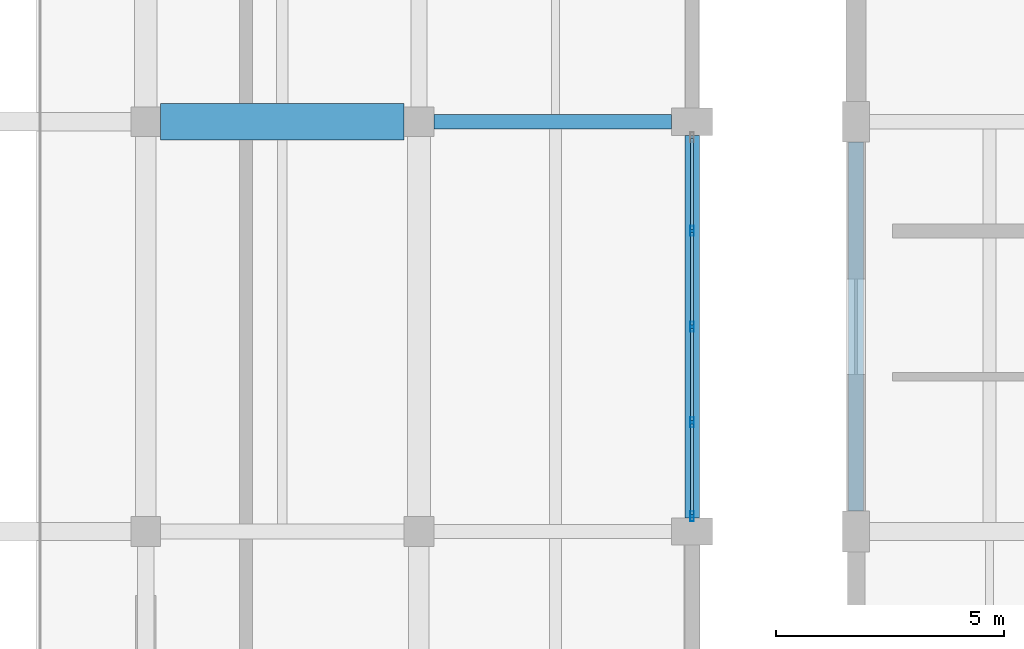
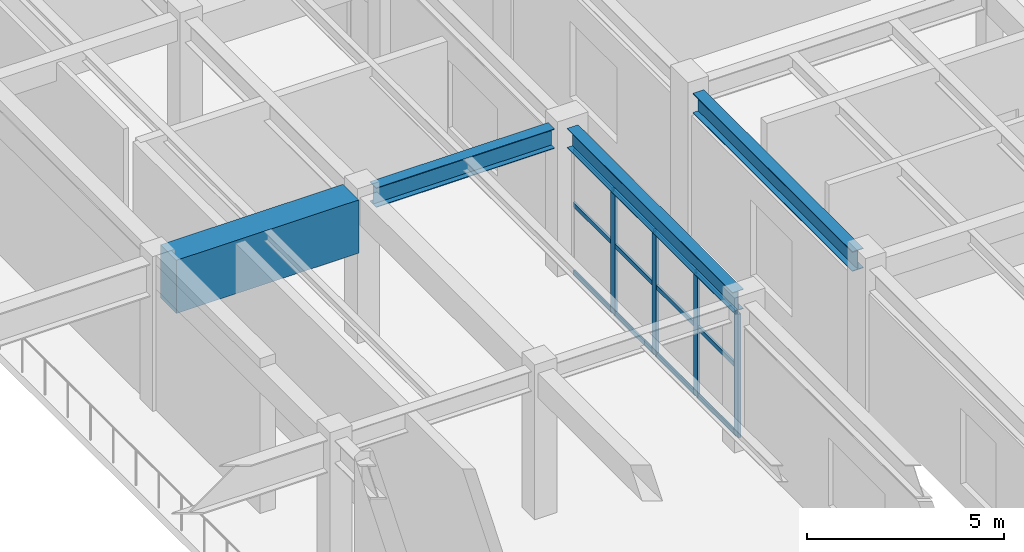
# One storey, part 30 of 80: 16 members, 4 beams, 1 element without a shape of its own.
"""IFC4 building model written with IfcOpenShell, lengths in metres."""

import ifcopenshell
import ifcopenshell.guid

model = None  # the IFC model being written
_history = None  # IfcOwnerHistory: only IFC2X3 demands one
_inside = {}  # id of a spatial element -> (the spatial element, [elements in it])
_under = {}  # id of a project, library or spatial element -> (it, [spatial elements below it])
_declared = {}  # id of a project -> (the project, [libraries it declares])
_typed = {}  # id of a type object -> (the type object, [elements of that type])
_made_of = {}  # id of a material, layer set ... -> (it, [elements and type objects made of it])


def new_model(schema):
    """Start an empty IFC model of exactly this schema.

    Asked for "IFC4X3", IfcOpenShell would pick the latest addendum, in which some entities
    have other attributes; the version numbers below select the first issue.
    IFC2X3 requires an IfcOwnerHistory on every rooted entity: one is made here for all.
    """
    global model, _history
    if schema == "IFC4X3":
        model = ifcopenshell.file(schema_version=(4, 3, 0, 0))
    else:
        model = ifcopenshell.file(schema=schema)
    _inside.clear()
    _under.clear()
    _declared.clear()
    _typed.clear()
    _made_of.clear()
    _history = None
    if model.schema == "IFC2X3":
        org = make("IfcOrganization", Name="unknown")
        user = make(
            "IfcPersonAndOrganization",
            ThePerson=make("IfcPerson", FamilyName="unknown"),
            TheOrganization=org,
        )
        app = make(
            "IfcApplication",
            ApplicationDeveloper=org,
            Version="unknown",
            ApplicationFullName="unknown",
            ApplicationIdentifier="unknown",
        )
        _history = make(
            "IfcOwnerHistory",
            OwningUser=user,
            OwningApplication=app,
            ChangeAction="ADDED",
            CreationDate=0,
        )
    return model


def make(cls, **values):
    """One entity of the class cls with the attributes given. An attribute that is None is left unset."""
    return model.create_entity(
        cls, **{name: value for name, value in values.items() if value is not None}
    )


def rooted(cls, **values):
    """An entity with a GlobalId (a new one), such as an element, a storey or a relation."""
    return make(cls, GlobalId=ifcopenshell.guid.new(), OwnerHistory=_history, **values)


def si_unit(unit_type, name, prefix=None):
    """IfcSIUnit, for example si_unit("LENGTHUNIT", "METRE", prefix="MILLI")."""
    return make("IfcSIUnit", UnitType=unit_type, Prefix=prefix, Name=name)


def assignment(units):
    """IfcUnitAssignment: the units of a project."""
    return None if units is None else make("IfcUnitAssignment", Units=units)


def point(xyz):
    """IfcCartesianPoint."""
    return None if xyz is None else make("IfcCartesianPoint", Coordinates=xyz)


def direction(xyz):
    """IfcDirection."""
    return None if xyz is None else make("IfcDirection", DirectionRatios=xyz)


def frame(location, z_axis=None, x_axis=None):
    """IfcAxis2Placement3D, a coordinate frame: its origin and axes. An axis left out is left unset."""
    return make(
        "IfcAxis2Placement3D",
        Location=point(location),
        Axis=direction(z_axis),
        RefDirection=direction(x_axis),
    )


def frame_2d(location, x_axis=None):
    """IfcAxis2Placement2D, a coordinate frame in the plane: its origin and x axis."""
    return make(
        "IfcAxis2Placement2D", Location=point(location), RefDirection=direction(x_axis)
    )


def origin():
    """The frame at (0, 0, 0) with its axes left unset."""
    return frame((0.0, 0.0, 0.0))


def origin_2d():
    """The frame at (0, 0) in the plane with its x axis left unset."""
    return frame_2d((0.0, 0.0))


def place(relative_to, where):
    """IfcLocalPlacement: puts the frame where relative to a parent placement (None: the world)."""
    return make(
        "IfcLocalPlacement", PlacementRelTo=relative_to, RelativePlacement=where
    )


def context(
    kind, dimensions, precision=None, world=None, true_north=None, identifier=None
):
    """IfcGeometricRepresentationContext, for example the 3D "Model" context."""
    return make(
        "IfcGeometricRepresentationContext",
        ContextIdentifier=identifier,
        ContextType=kind,
        CoordinateSpaceDimension=dimensions,
        Precision=precision,
        WorldCoordinateSystem=world,
        TrueNorth=true_north,
    )


def subcontext(parent, identifier, kind, view, scale=None):
    """IfcGeometricRepresentationSubContext, for example "Body" below "Model"."""
    return make(
        "IfcGeometricRepresentationSubContext",
        ContextIdentifier=identifier,
        ContextType=kind,
        ParentContext=parent,
        TargetScale=scale,
        TargetView=view,
    )


def project(units=None, contexts=None):
    """IfcProject with its units and contexts."""
    return rooted(
        "IfcProject",
        Name="project",
        RepresentationContexts=contexts,
        UnitsInContext=assignment(units),
    )


def spatial(cls, under=None, at=None, **own):
    """A site, building, storey or space (cls), placed at a placement, below another one or the project."""
    s = rooted(cls, ObjectPlacement=at, **own)
    if under is not None:
        _under.setdefault(under.id(), (under, []))[1].append(s)
    return s


def profile(cls, at=None, kind="AREA", **sizes):
    """A parametric profile (cls). Its sizes go by their IFC names, for example OverallWidth=200.0."""
    return make(cls, ProfileType=kind, Position=at, **sizes)


def rectangle(**sizes):
    """IfcRectangleProfileDef."""
    return profile("IfcRectangleProfileDef", **sizes)


def hollow_rectangle(**sizes):
    """IfcRectangleHollowProfileDef."""
    return profile("IfcRectangleHollowProfileDef", **sizes)


def i_section(**sizes):
    """IfcIShapeProfileDef."""
    return profile("IfcIShapeProfileDef", **sizes)


def extrude(swept, where, along, depth):
    """IfcExtrudedAreaSolid: the profile swept, set in the frame where, extruded along a direction by depth."""
    return make(
        "IfcExtrudedAreaSolid",
        SweptArea=swept,
        Position=where,
        ExtrudedDirection=direction(along),
        Depth=depth,
    )


def shape(context_of_items, identifier, shape_type, items):
    """IfcShapeRepresentation: the items that make up one representation, for example the "Body"."""
    return make(
        "IfcShapeRepresentation",
        ContextOfItems=context_of_items,
        RepresentationIdentifier=identifier,
        RepresentationType=shape_type,
        Items=items,
    )


def material(Name=None, Category=None):
    """IfcMaterial."""
    return make("IfcMaterial", Name=Name, Category=Category)


def layer(
    of_material, thickness, ventilated=None, Name=None, Category=None, Priority=None
):
    """IfcMaterialLayer: one layer of a wall or slab, of a material (None: an air gap)."""
    return make(
        "IfcMaterialLayer",
        Material=of_material,
        LayerThickness=thickness,
        IsVentilated=ventilated,
        Name=Name,
        Category=Category,
        Priority=Priority,
    )


def layer_set(layers, Name=None):
    """IfcMaterialLayerSet."""
    return make("IfcMaterialLayerSet", MaterialLayers=layers, LayerSetName=Name)


def material_profile(
    of_material, cross_section, Name=None, Category=None, Priority=None
):
    """IfcMaterialProfile: a cross section and its material."""
    return make(
        "IfcMaterialProfile",
        Name=Name,
        Material=of_material,
        Profile=cross_section,
        Priority=Priority,
        Category=Category,
    )


def profile_set(profiles, Name=None, composite=None):
    """IfcMaterialProfileSet."""
    return make(
        "IfcMaterialProfileSet",
        Name=Name,
        MaterialProfiles=profiles,
        CompositeProfile=composite,
    )


def made_of(thing, what):
    """Note that an element or type object is made of a material, layer set ...; save() writes the relation."""
    if what is not None:
        _made_of.setdefault(what.id(), (what, []))[1].append(thing)
    return thing


def type_object(cls, material=None, **own):
    """A type object (cls), such as IfcWallType, which elements share."""
    return made_of(rooted(cls, **own), material)


def element(
    cls,
    number,
    at=None,
    inside=None,
    cuts=None,
    type_object=None,
    material=None,
    context=None,
    identifier="Body",
    shape_type=None,
    held_by="IfcProductDefinitionShape",
    body=None,
    shapes=None,
    **own,
):
    """One element of the class cls, such as IfcWall. Its Tag is "e" and its number.

    at: its placement. inside: the storey or other place that contains it. cuts: it is an
    opening in that element (IfcRelVoidsElement). A single representation is given by context,
    identifier, shape_type and body (its items); several are given by shapes. held_by: the class
    of the entity that holds the representations. save() writes the other relations.
    """
    e = rooted(cls, Tag="e%d" % number, ObjectPlacement=at, **own)
    if body is not None:
        shapes = [shape(context, identifier, shape_type, body)]
    if shapes is not None:
        e.Representation = make(held_by, Representations=shapes)
    if inside is not None:
        _inside.setdefault(inside.id(), (inside, []))[1].append(e)
    if cuts is not None:
        rooted(
            "IfcRelVoidsElement", RelatingBuildingElement=cuts, RelatedOpeningElement=e
        )
    if type_object is not None:
        _typed.setdefault(type_object.id(), (type_object, []))[1].append(e)
    return made_of(e, material)


def aggregate(whole, parts):
    """IfcRelAggregates: a whole, such as a stair, and the parts it consists of."""
    return rooted("IfcRelAggregates", RelatingObject=whole, RelatedObjects=parts)


def save(model, path):
    """Write the relations noted so far, then the file.

    IfcRelAggregates (storeys below a building ...), IfcRelContainedInSpatialStructure (elements
    in a storey), IfcRelDefinesByType, IfcRelAssociatesMaterial and IfcRelDeclares: one each for
    every whole, place, type object, material and project.
    """
    for whole, parts in _under.values():
        aggregate(whole, parts)
    for where, things in _inside.values():
        rooted(
            "IfcRelContainedInSpatialStructure",
            RelatedElements=things,
            RelatingStructure=where,
        )
    for kind, things in _typed.values():
        rooted("IfcRelDefinesByType", RelatedObjects=things, RelatingType=kind)
    for what, things in _made_of.values():
        rooted("IfcRelAssociatesMaterial", RelatedObjects=things, RelatingMaterial=what)
    for by, libraries in _declared.values():
        rooted("IfcRelDeclares", RelatingContext=by, RelatedDefinitions=libraries)
    model.write(path)


model = new_model("IFC4")

# Units and contexts
model_context = context("Model", 3, precision=1e-05, world=origin(), true_north=direction((0.0, 1.0)))
body_context = subcontext(model_context, "Body", "Model", "MODEL_VIEW")
ifc_project = project(units=[si_unit("LENGTHUNIT", "METRE"), si_unit("AREAUNIT", "SQUARE_METRE"), si_unit("VOLUMEUNIT", "CUBIC_METRE"), si_unit("PLANEANGLEUNIT", "RADIAN"), si_unit("MASSUNIT", "GRAM", prefix="KILO")], contexts=[model_context])

# Site, building, storey
site_placement = place(None, origin())
site = spatial("IfcSite", under=ifc_project, at=site_placement, CompositionType="ELEMENT")
building_placement = place(site_placement, origin())
building = spatial("IfcBuilding", under=site, at=building_placement, Name="Vaelkrest Opera House", CompositionType="ELEMENT")
storey_placement = place(building_placement, frame((0.0, 0.0, 15.0)))
storey = spatial("IfcBuildingStorey", under=building, at=storey_placement, Name="L03", CompositionType="ELEMENT", Elevation=15.0)

# Beams
ifc_material_1 = material(Name="Concrete C50/60", Category="concrete")
ifc_material_profile_1 = material_profile(ifc_material_1, rectangle(XDim=0.800048828125, YDim=1.64990234375, at=origin_2d()), Name="RCB800X1650")
ifc_profile_set_1 = profile_set([ifc_material_profile_1], Name="Concrete C50/60")
beam_type_1 = type_object("IfcBeamType", Name="B07", PredefinedType="BEAM", material=ifc_profile_set_1)
beam_1_placement = place(storey_placement, frame((18.324951171875, 1.199951171875, 3.679931640625), z_axis=(1.0, 0.0, 0.0), x_axis=(0.0, 1.0, 0.0)))
element("IfcBeam", 1, at=beam_1_placement, inside=storey, type_object=beam_type_1, Name="Beam BM-V1-L03-0456", PredefinedType="BEAM", context=body_context, shape_type="SweptSolid", body=[
    extrude(rectangle(XDim=0.800048828125, YDim=1.64990234375, at=origin_2d()), origin(), (0.0, 0.0, 1.0), 5.35009765625),
])
ifc_material_2 = material(Name="Steel A992 Gr50", Category="steel")
ifc_material_profile_2 = material_profile(ifc_material_2, i_section(OverallWidth=0.323974609375, OverallDepth=0.611083984375, WebThickness=0.0126953125, FlangeThickness=0.01904296875, at=origin_2d()), Name="W24X104")
ifc_profile_set_2 = profile_set([ifc_material_profile_2], Name="Steel A992 Gr50")
beam_type_2 = type_object("IfcBeamType", Name="B08", PredefinedType="BEAM", material=ifc_profile_set_2)
beam_2_placement = place(storey_placement, frame((24.324951171875, 1.199951171875, 4.199462890625), z_axis=(1.0, 0.0, 0.0), x_axis=(0.0, 1.0, 0.0)))
element("IfcBeam", 2, at=beam_2_placement, inside=storey, type_object=beam_type_2, Name="Beam BM-V1-L03-0457", PredefinedType="BEAM", context=body_context, shape_type="SweptSolid", body=[
    extrude(i_section(OverallWidth=0.323974609375, OverallDepth=0.611083984375, WebThickness=0.0126953125, FlangeThickness=0.01904296875, at=origin_2d()), origin(), (0.0, 0.0, 1.0), 5.22509765625),
])

# Curtain wall, members
ifc_material_3 = material(Name="Dark bronze anodized aluminium", Category="aluminium")
ifc_layer = layer(ifc_material_3, 0.239990234375)
ifc_layer_set = layer_set([ifc_layer], Name="Dark bronze anodized aluminium")
curtain_wall_type = type_object("IfcCurtainWallType", Name="CW07", PredefinedType="NOTDEFINED", material=ifc_layer_set)
curtain_wall_placement = place(storey_placement, origin())
curtain_wall = element("IfcCurtainWall", 3, at=curtain_wall_placement, inside=storey, type_object=curtain_wall_type, Name="Curtain wall CW-L03-052", PredefinedType="NOTDEFINED")
ifc_material_profile_3 = material_profile(ifc_material_3, hollow_rectangle(XDim=0.074951171875, YDim=0.219970703125, WallThickness=0.00439453125, at=origin_2d()), Name="CWM75X220")
ifc_profile_set_3 = profile_set([ifc_material_profile_3], Name="Dark bronze anodized aluminium")
member_type_1 = type_object("IfcMemberType", Name="CWM03", PredefinedType="MULLION", material=ifc_profile_set_3)
member_1_placement = place(storey_placement, frame((30.0, -1.198974609375, 0.0), z_axis=(0.0, 0.0, 1.0), x_axis=(1.0, 0.0, 0.0)))
member_1 = element("IfcMember", 4, at=member_1_placement, type_object=member_type_1, Name="CW07 mullion 2", PredefinedType="MULLION", context=body_context, shape_type="SweptSolid", body=[
    extrude(hollow_rectangle(XDim=0.074951171875, YDim=0.219970703125, WallThickness=0.00439453125, at=origin_2d()), origin(), (0.0, 0.0, 1.0), 3.8291015625),
])
member_2_placement = place(storey_placement, frame((30.0, -3.300048828125, 0.0), z_axis=(0.0, 0.0, 1.0), x_axis=(1.0, 0.0, 0.0)))
member_2 = element("IfcMember", 5, at=member_2_placement, type_object=member_type_1, Name="CW07 mullion 3", PredefinedType="MULLION", context=body_context, shape_type="SweptSolid", body=[
    extrude(hollow_rectangle(XDim=0.074951171875, YDim=0.219970703125, WallThickness=0.00439453125, at=origin_2d()), origin(), (0.0, 0.0, 1.0), 3.8291015625),
])
member_3_placement = place(storey_placement, frame((30.0, -5.40087890625, 0.0), z_axis=(0.0, 0.0, 1.0), x_axis=(1.0, 0.0, 0.0)))
member_3 = element("IfcMember", 6, at=member_3_placement, type_object=member_type_1, Name="CW07 mullion 4", PredefinedType="MULLION", context=body_context, shape_type="SweptSolid", body=[
    extrude(hollow_rectangle(XDim=0.074951171875, YDim=0.219970703125, WallThickness=0.00439453125, at=origin_2d()), origin(), (0.0, 0.0, 1.0), 3.8291015625),
])
member_4_placement = place(storey_placement, frame((30.0, -7.464599609375, 0.0), z_axis=(0.0, 0.0, 1.0), x_axis=(1.0, 0.0, 0.0)))
member_4 = element("IfcMember", 7, at=member_4_placement, type_object=member_type_1, Name="CW07 mullion 5", PredefinedType="MULLION", context=body_context, shape_type="SweptSolid", body=[
    extrude(hollow_rectangle(XDim=0.074951171875, YDim=0.219970703125, WallThickness=0.00439453125, at=origin_2d()), origin(), (0.0, 0.0, 1.0), 3.8291015625),
])
ifc_material_profile_4 = material_profile(ifc_material_3, hollow_rectangle(XDim=0.06494140625, YDim=0.139892578125, WallThickness=0.00390625, at=origin_2d()), Name="CWT65X140")
ifc_profile_set_4 = profile_set([ifc_material_profile_4], Name="Dark bronze anodized aluminium")
member_type_2 = type_object("IfcMemberType", Name="CWT01", PredefinedType="USERDEFINED", material=ifc_profile_set_4)
member_5_placement = place(storey_placement, frame((30.0, 0.826904296875, 0.032470703125), z_axis=(0.0, -1.0, 0.0), x_axis=(1.0, 0.0, 0.0)))
member_5 = element("IfcMember", 8, at=member_5_placement, type_object=member_type_2, Name="CW07 transom 1.1", ObjectType="TRANSOM", PredefinedType="USERDEFINED", context=body_context, shape_type="SweptSolid", body=[
    extrude(hollow_rectangle(XDim=0.06494140625, YDim=0.139892578125, WallThickness=0.00390625, at=origin_2d()), origin(), (0.0, 0.0, 1.0), 1.988525390625),
])
member_6_placement = place(storey_placement, frame((30.0, 0.826904296875, 2.14990234375), z_axis=(0.0, -1.0, 0.0), x_axis=(1.0, 0.0, 0.0)))
member_6 = element("IfcMember", 9, at=member_6_placement, type_object=member_type_2, Name="CW07 transom 1.2", ObjectType="TRANSOM", PredefinedType="USERDEFINED", context=body_context, shape_type="SweptSolid", body=[
    extrude(hollow_rectangle(XDim=0.06494140625, YDim=0.139892578125, WallThickness=0.00390625, at=origin_2d()), origin(), (0.0, 0.0, 1.0), 1.988525390625),
])
member_7_placement = place(storey_placement, frame((30.0, 0.826904296875, 3.79638671875), z_axis=(0.0, -1.0, 0.0), x_axis=(1.0, 0.0, 0.0)))
member_7 = element("IfcMember", 10, at=member_7_placement, type_object=member_type_2, Name="CW07 transom 1.3", ObjectType="TRANSOM", PredefinedType="USERDEFINED", context=body_context, shape_type="SweptSolid", body=[
    extrude(hollow_rectangle(XDim=0.06494140625, YDim=0.139892578125, WallThickness=0.00390625, at=origin_2d()), origin(), (0.0, 0.0, 1.0), 1.988525390625),
])
member_8_placement = place(storey_placement, frame((30.0, -1.236572265625, 0.032470703125), z_axis=(0.0, -1.0, 0.0), x_axis=(1.0, 0.0, 0.0)))
member_8 = element("IfcMember", 11, at=member_8_placement, type_object=member_type_2, Name="CW07 transom 2.1", ObjectType="TRANSOM", PredefinedType="USERDEFINED", context=body_context, shape_type="SweptSolid", body=[
    extrude(hollow_rectangle(XDim=0.06494140625, YDim=0.139892578125, WallThickness=0.00390625, at=origin_2d()), origin(), (0.0, 0.0, 1.0), 2.02587890625),
])
member_9_placement = place(storey_placement, frame((30.0, -1.236572265625, 2.14990234375), z_axis=(0.0, -1.0, 0.0), x_axis=(1.0, 0.0, 0.0)))
member_9 = element("IfcMember", 12, at=member_9_placement, type_object=member_type_2, Name="CW07 transom 2.2", ObjectType="TRANSOM", PredefinedType="USERDEFINED", context=body_context, shape_type="SweptSolid", body=[
    extrude(hollow_rectangle(XDim=0.06494140625, YDim=0.139892578125, WallThickness=0.00390625, at=origin_2d()), origin(), (0.0, 0.0, 1.0), 2.02587890625),
])
member_10_placement = place(storey_placement, frame((30.0, -1.236572265625, 3.79638671875), z_axis=(0.0, -1.0, 0.0), x_axis=(1.0, 0.0, 0.0)))
member_10 = element("IfcMember", 13, at=member_10_placement, type_object=member_type_2, Name="CW07 transom 2.3", ObjectType="TRANSOM", PredefinedType="USERDEFINED", context=body_context, shape_type="SweptSolid", body=[
    extrude(hollow_rectangle(XDim=0.06494140625, YDim=0.139892578125, WallThickness=0.00390625, at=origin_2d()), origin(), (0.0, 0.0, 1.0), 2.02587890625),
])
member_11_placement = place(storey_placement, frame((30.0, -3.33740234375, 0.032470703125), z_axis=(0.0, -1.0, 0.0), x_axis=(1.0, 0.0, 0.0)))
member_11 = element("IfcMember", 14, at=member_11_placement, type_object=member_type_2, Name="CW07 transom 3.1", ObjectType="TRANSOM", PredefinedType="USERDEFINED", context=body_context, shape_type="SweptSolid", body=[
    extrude(hollow_rectangle(XDim=0.06494140625, YDim=0.139892578125, WallThickness=0.00390625, at=origin_2d()), origin(), (0.0, 0.0, 1.0), 2.026123046875),
])
member_12_placement = place(storey_placement, frame((30.0, -3.33740234375, 2.14990234375), z_axis=(0.0, -1.0, 0.0), x_axis=(1.0, 0.0, 0.0)))
member_12 = element("IfcMember", 15, at=member_12_placement, type_object=member_type_2, Name="CW07 transom 3.2", ObjectType="TRANSOM", PredefinedType="USERDEFINED", context=body_context, shape_type="SweptSolid", body=[
    extrude(hollow_rectangle(XDim=0.06494140625, YDim=0.139892578125, WallThickness=0.00390625, at=origin_2d()), origin(), (0.0, 0.0, 1.0), 2.026123046875),
])
member_13_placement = place(storey_placement, frame((30.0, -3.33740234375, 3.79638671875), z_axis=(0.0, -1.0, 0.0), x_axis=(1.0, 0.0, 0.0)))
member_13 = element("IfcMember", 16, at=member_13_placement, type_object=member_type_2, Name="CW07 transom 3.3", ObjectType="TRANSOM", PredefinedType="USERDEFINED", context=body_context, shape_type="SweptSolid", body=[
    extrude(hollow_rectangle(XDim=0.06494140625, YDim=0.139892578125, WallThickness=0.00390625, at=origin_2d()), origin(), (0.0, 0.0, 1.0), 2.026123046875),
])
member_14_placement = place(storey_placement, frame((30.0, -5.4384765625, 0.032470703125), z_axis=(0.0, -1.0, 0.0), x_axis=(1.0, 0.0, 0.0)))
member_14 = element("IfcMember", 17, at=member_14_placement, type_object=member_type_2, Name="CW07 transom 4.1", ObjectType="TRANSOM", PredefinedType="USERDEFINED", context=body_context, shape_type="SweptSolid", body=[
    extrude(hollow_rectangle(XDim=0.06494140625, YDim=0.139892578125, WallThickness=0.00390625, at=origin_2d()), origin(), (0.0, 0.0, 1.0), 1.988525390625),
])
member_15_placement = place(storey_placement, frame((30.0, -5.4384765625, 2.14990234375), z_axis=(0.0, -1.0, 0.0), x_axis=(1.0, 0.0, 0.0)))
member_15 = element("IfcMember", 18, at=member_15_placement, type_object=member_type_2, Name="CW07 transom 4.2", ObjectType="TRANSOM", PredefinedType="USERDEFINED", context=body_context, shape_type="SweptSolid", body=[
    extrude(hollow_rectangle(XDim=0.06494140625, YDim=0.139892578125, WallThickness=0.00390625, at=origin_2d()), origin(), (0.0, 0.0, 1.0), 1.988525390625),
])
member_16_placement = place(storey_placement, frame((30.0, -5.4384765625, 3.79638671875), z_axis=(0.0, -1.0, 0.0), x_axis=(1.0, 0.0, 0.0)))
member_16 = element("IfcMember", 19, at=member_16_placement, type_object=member_type_2, Name="CW07 transom 4.3", ObjectType="TRANSOM", PredefinedType="USERDEFINED", context=body_context, shape_type="SweptSolid", body=[
    extrude(hollow_rectangle(XDim=0.06494140625, YDim=0.139892578125, WallThickness=0.00390625, at=origin_2d()), origin(), (0.0, 0.0, 1.0), 1.988525390625),
])
aggregate(curtain_wall, [member_1, member_2, member_3, member_4, member_5, member_6, member_7, member_8, member_9, member_10, member_11, member_12, member_13, member_14, member_15, member_16])

# Beams
ifc_material_profile_5 = material_profile(ifc_material_2, i_section(OverallWidth=0.323974609375, OverallDepth=0.611083984375, WebThickness=0.0126953125, FlangeThickness=0.01904296875, at=origin_2d()), Name="W24X104")
ifc_profile_set_5 = profile_set([ifc_material_profile_5], Name="Steel A992 Gr50")
beam_type_3 = type_object("IfcBeamType", Name="SP01", PredefinedType="SPANDREL", material=ifc_profile_set_5)
beam_3_placement = place(storey_placement, frame((30.0, -7.5, 4.199462890625), z_axis=(0.0, 1.0, 0.0), x_axis=(-1.0, 0.0, 0.0)))
element("IfcBeam", 20, at=beam_3_placement, inside=storey, type_object=beam_type_3, Name="Beam BM-V1-L03-0512", PredefinedType="SPANDREL", context=body_context, shape_type="SweptSolid", body=[
    extrude(i_section(OverallWidth=0.323974609375, OverallDepth=0.611083984375, WebThickness=0.0126953125, FlangeThickness=0.01904296875, at=origin_2d()), origin(), (0.0, 0.0, 1.0), 8.39990234375),
])
beam_4_placement = place(storey_placement, frame((33.60009765625, -7.35009765625, 4.114501953125), z_axis=(0.0, 1.0, 0.0), x_axis=(-1.0, 0.0, 0.0)))
element("IfcBeam", 21, at=beam_4_placement, inside=storey, type_object=beam_type_3, Name="Beam BM-V4-L03-2362", PredefinedType="SPANDREL", context=body_context, shape_type="SweptSolid", body=[
    extrude(i_section(OverallWidth=0.323974609375, OverallDepth=0.611083984375, WebThickness=0.0126953125, FlangeThickness=0.01904296875, at=origin_2d()), origin(), (0.0, 0.0, 1.0), 8.10009765625),
])

save(model, "model.ifc")
